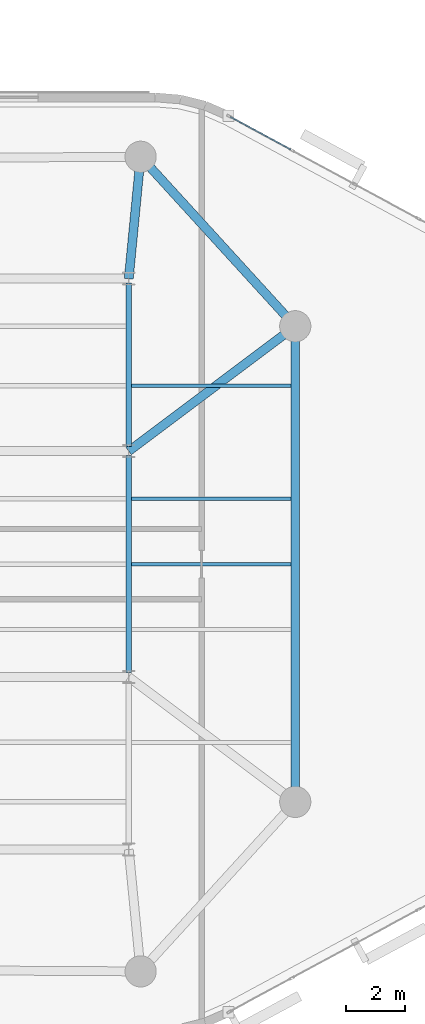
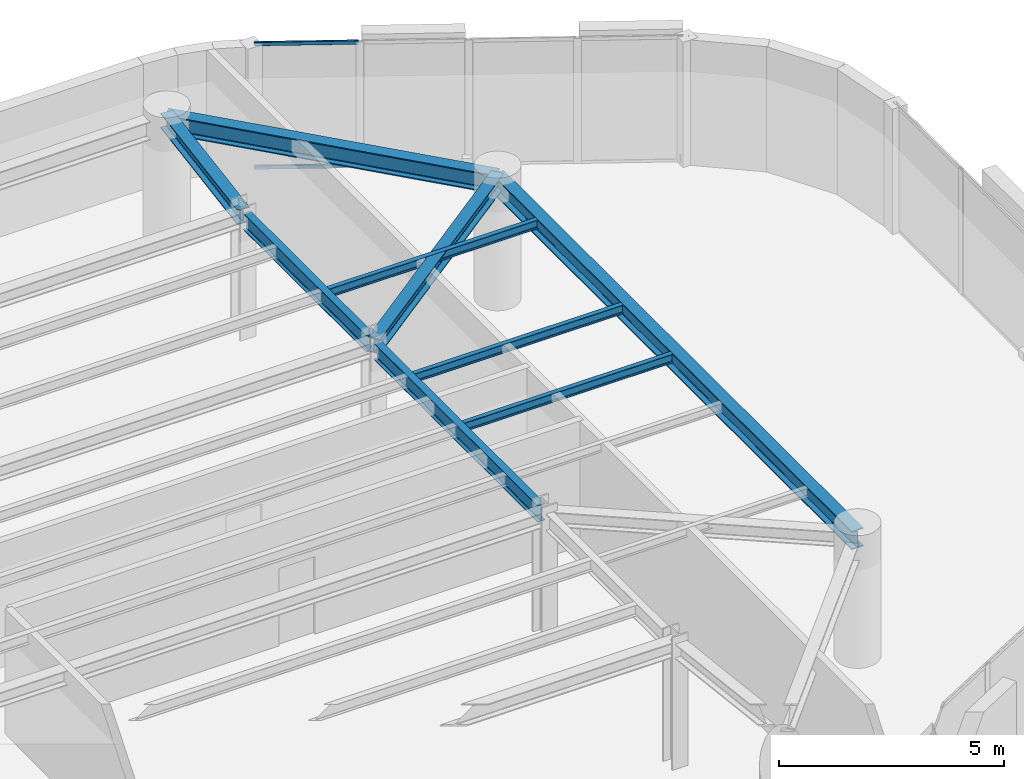
# One storey, part 5 of 13: 9 beams, 2 members, 1 element without a shape of its own.
"""IFC4 building model written with IfcOpenShell, lengths in metres."""

from ifc_helpers import new_model, si_unit, direction, frame, origin, origin_2d, place, context, subcontext, project, spatial, hollow_rectangle, i_section, extrude, material, layer, layer_set, material_profile, profile_set, type_object, element, aggregate, save


model = new_model("IFC4")

# Units and contexts
model_context = context("Model", 3, precision=1e-05, world=origin(), true_north=direction((0.0, 1.0)))
body_context = subcontext(model_context, "Body", "Model", "MODEL_VIEW")
ifc_project = project(units=[si_unit("LENGTHUNIT", "METRE"), si_unit("AREAUNIT", "SQUARE_METRE"), si_unit("VOLUMEUNIT", "CUBIC_METRE"), si_unit("PLANEANGLEUNIT", "RADIAN"), si_unit("MASSUNIT", "GRAM", prefix="KILO")], contexts=[model_context])

# Site, building, storey
site_placement = place(None, origin())
site = spatial("IfcSite", under=ifc_project, at=site_placement, CompositionType="ELEMENT")
building_placement = place(site_placement, origin())
building = spatial("IfcBuilding", under=site, at=building_placement, Name="An Khanh Terracotta Commons", CompositionType="ELEMENT")
storey_placement = place(building_placement, frame((0.0, 0.0, 237.300048828125)))
storey = spatial("IfcBuildingStorey", under=building, at=storey_placement, Name="L62", CompositionType="ELEMENT", Elevation=237.300048828125)

# Beams
ifc_material_1 = material(Name="Steel S355J2", Category="steel")
ifc_material_profile_1 = material_profile(ifc_material_1, i_section(OverallWidth=0.300048828125, OverallDepth=0.39990234375, WebThickness=0.013427734375, FlangeThickness=0.02392578125, FilletRadius=0.027099609375, at=origin_2d()), Name="HEB400")
ifc_profile_set_1 = profile_set([ifc_material_profile_1], Name="Steel S355J2")
beam_type_1 = type_object("IfcBeamType", Name="BM-HEB400", PredefinedType="BEAM", material=ifc_profile_set_1)
beam_1_placement = place(storey_placement, frame((59.60009765625, 32.0, 3.199951171875), z_axis=(-0.800008370399, -0.599988839305, 0.0), x_axis=(0.599988839305, -0.800008370399, 0.0)))
element("IfcBeam", 1, at=beam_1_placement, inside=storey, type_object=beam_type_1, Name="L62 Mega-Column Tie Girder 4", PredefinedType="BEAM", context=body_context, shape_type="SweptSolid", body=[
    extrude(i_section(OverallWidth=0.300048828125, OverallDepth=0.39990234375, WebThickness=0.013427734375, FlangeThickness=0.02392578125, FilletRadius=0.027099609375, at=origin_2d()), origin(), (0.0, 0.0, 1.0), 7.0),
])
beam_2_placement = place(storey_placement, frame((54.39990234375, 37.699951171875, 3.199951171875), z_axis=(-0.097079917443, -0.995276589511, 0.0), x_axis=(0.995276589511, -0.097079917443, 0.0)))
element("IfcBeam", 2, at=beam_2_placement, inside=storey, type_object=beam_type_1, Name="L62 Mega-Column Tie Girder 5", PredefinedType="BEAM", context=body_context, shape_type="SweptSolid", body=[
    extrude(i_section(OverallWidth=0.300048828125, OverallDepth=0.39990234375, WebThickness=0.013427734375, FlangeThickness=0.02392578125, FilletRadius=0.027099609375, at=origin_2d()), origin(), (0.0, 0.0, 1.0), 4.119384765625),
])
ifc_material_profile_2 = material_profile(ifc_material_1, i_section(OverallWidth=0.300048828125, OverallDepth=0.5, WebThickness=0.014404296875, FlangeThickness=0.028076171875, FilletRadius=0.027099609375, at=origin_2d()), Name="HEB500")
ifc_profile_set_2 = profile_set([ifc_material_profile_2], Name="Steel S355J2")
beam_type_2 = type_object("IfcBeamType", Name="BM-HEB500", PredefinedType="BEAM", material=ifc_profile_set_2)
beam_3_placement = place(storey_placement, frame((59.60009765625, 16.0, 3.14990234375), z_axis=(0.0, 1.0, 0.0), x_axis=(-1.0, 0.0, 0.0)))
element("IfcBeam", 3, at=beam_3_placement, inside=storey, type_object=beam_type_2, Name="L62 Perimeter Ring Spandrel 3", PredefinedType="BEAM", context=body_context, shape_type="SweptSolid", body=[
    extrude(i_section(OverallWidth=0.300048828125, OverallDepth=0.5, WebThickness=0.014404296875, FlangeThickness=0.028076171875, FilletRadius=0.027099609375, at=origin_2d()), origin(), (0.0, 0.0, 1.0), 16.0),
])
beam_4_placement = place(storey_placement, frame((59.60009765625, 32.0, 3.14990234375), z_axis=(-0.673978953902, 0.738750546326, 0.0), x_axis=(-0.738750546326, -0.673978953902, 0.0)))
element("IfcBeam", 4, at=beam_4_placement, inside=storey, type_object=beam_type_2, Name="L62 Perimeter Ring Spandrel 4", PredefinedType="BEAM", context=body_context, shape_type="SweptSolid", body=[
    extrude(i_section(OverallWidth=0.300048828125, OverallDepth=0.5, WebThickness=0.014404296875, FlangeThickness=0.028076171875, FilletRadius=0.027099609375, at=origin_2d()), origin(), (0.0, 0.0, 1.0), 7.715576171875),
])
ifc_material_profile_3 = material_profile(ifc_material_1, i_section(OverallWidth=0.1201171875, OverallDepth=0.239990234375, WebThickness=0.006103515625, FlangeThickness=0.009765625, FilletRadius=0.014892578125, at=origin_2d()), Name="IPE240")
ifc_profile_set_3 = profile_set([ifc_material_profile_3], Name="Steel S355J2")
beam_type_3 = type_object("IfcBeamType", Name="BM-IPE240", PredefinedType="JOIST", material=ifc_profile_set_3)
for number, where, z_axis, x_axis, name in (
    (5, (54.094970703125, 24.0, 3.280029296875), (1.0, 0.0, 0.0), (0.0, 1.0, 0.0), "L62 Riverfront Composite Joist 4"),
    (6, (54.094970703125, 26.199951171875, 3.280029296875), (1.0, 0.0, 0.0), (0.0, 1.0, 0.0), "L62 Riverfront Composite Joist 5"),
    (7, (54.094970703125, 30.0, 3.280029296875), (1.0, 0.0, 0.0), (0.0, 1.0, 0.0), "L62 Riverfront Composite Joist 6"),
):
    element("IfcBeam", number, at=place(storey_placement, frame(where, z_axis=z_axis, x_axis=x_axis)), inside=storey, type_object=beam_type_3, Name=name, PredefinedType="JOIST", context=body_context, shape_type="SweptSolid", body=[
        extrude(i_section(OverallWidth=0.1201171875, OverallDepth=0.239990234375, WebThickness=0.006103515625, FlangeThickness=0.009765625, FilletRadius=0.014892578125, at=origin_2d()), origin(), (0.0, 0.0, 1.0), 5.35498046875),
    ])
ifc_material_profile_4 = material_profile(ifc_material_1, i_section(OverallWidth=0.18994140625, OverallDepth=0.449951171875, WebThickness=0.009521484375, FlangeThickness=0.0146484375, FilletRadius=0.02099609375, at=origin_2d()), Name="IPE450")
ifc_profile_set_4 = profile_set([ifc_material_profile_4], Name="Steel S355J2")
beam_type_4 = type_object("IfcBeamType", Name="BM-IPE450", PredefinedType="JOIST", material=ifc_profile_set_4)
beam_5_placement = place(storey_placement, frame((54.0, 20.35009765625, 3.175048828125), z_axis=(0.0, 1.0, 0.0), x_axis=(-1.0, 0.0, 0.0)))
element("IfcBeam", 8, at=beam_5_placement, inside=storey, type_object=beam_type_4, Name="L62 East Spine Girder 2", PredefinedType="JOIST", context=body_context, shape_type="SweptSolid", body=[
    extrude(i_section(OverallWidth=0.18994140625, OverallDepth=0.449951171875, WebThickness=0.009521484375, FlangeThickness=0.0146484375, FilletRadius=0.02099609375, at=origin_2d()), origin(), (0.0, 0.0, 1.0), 7.2998046875),
])
beam_6_placement = place(storey_placement, frame((54.0, 27.949951171875, 3.175048828125), z_axis=(0.0, 1.0, 0.0), x_axis=(-1.0, 0.0, 0.0)))
element("IfcBeam", 9, at=beam_6_placement, inside=storey, type_object=beam_type_4, Name="L62 East Spine Girder 3", PredefinedType="JOIST", context=body_context, shape_type="SweptSolid", body=[
    extrude(i_section(OverallWidth=0.18994140625, OverallDepth=0.449951171875, WebThickness=0.009521484375, FlangeThickness=0.0146484375, FilletRadius=0.02099609375, at=origin_2d()), origin(), (0.0, 0.0, 1.0), 5.5),
])

# Curtain wall, members
ifc_material_2 = material(Name="Anodised Aluminium 6063-T6", Category="aluminium")
ifc_layer = layer(ifc_material_2, 0.2099609375, Name="Anodised Aluminium 6063-T6")
ifc_layer_set = layer_set([ifc_layer], Name="Anodised Aluminium 6063-T6")
curtain_wall_type = type_object("IfcCurtainWallType", Name="CW-SYS-03", PredefinedType="USERDEFINED", material=ifc_layer_set)
curtain_wall_placement = place(storey_placement, origin())
curtain_wall = element("IfcCurtainWall", 10, at=curtain_wall_placement, inside=storey, type_object=curtain_wall_type, Name="L62 CW-03 Unitised Curtain Wall CW-L62-16", ObjectType="UNITISED CURTAIN WALL", PredefinedType="USERDEFINED")
ifc_material_profile_5 = material_profile(ifc_material_2, hollow_rectangle(XDim=0.050048828125, YDim=0.10009765625, WallThickness=0.003173828125, InnerFilletRadius=0.003173828125, OuterFilletRadius=0.00634765625, at=origin_2d()), Name="RHS100x50x3.2")
ifc_profile_set_5 = profile_set([ifc_material_profile_5], Name="Anodised Aluminium 6063-T6")
member_type = type_object("IfcMemberType", Name="CWT-RHS100x50x3.2", PredefinedType="USERDEFINED", material=ifc_profile_set_5)
member_1_placement = place(storey_placement, frame((59.455078125, 37.94140625, 0.02490234375), z_axis=(-0.879779245677, 0.475382455373, 0.0), x_axis=(-0.475382455373, -0.879779245677, 0.0)))
member_1 = element("IfcMember", 11, at=member_1_placement, type_object=member_type, Name="CW-03 transom 4.1", ObjectType="TRANSOM", PredefinedType="USERDEFINED", context=body_context, shape_type="SweptSolid", body=[
    extrude(hollow_rectangle(XDim=0.050048828125, YDim=0.10009765625, WallThickness=0.003173828125, InnerFilletRadius=0.003173828125, OuterFilletRadius=0.00634765625, at=origin_2d()), origin(), (0.0, 0.0, 1.0), 2.314697265625),
])
member_2_placement = place(storey_placement, frame((59.455078125, 37.94140625, 3.375), z_axis=(-0.879779245677, 0.475382455373, 0.0), x_axis=(-0.475382455373, -0.879779245677, 0.0)))
member_2 = element("IfcMember", 12, at=member_2_placement, type_object=member_type, Name="CW-03 transom 4.2", ObjectType="TRANSOM", PredefinedType="USERDEFINED", context=body_context, shape_type="SweptSolid", body=[
    extrude(hollow_rectangle(XDim=0.050048828125, YDim=0.10009765625, WallThickness=0.003173828125, InnerFilletRadius=0.003173828125, OuterFilletRadius=0.00634765625, at=origin_2d()), origin(), (0.0, 0.0, 1.0), 2.314697265625),
])
aggregate(curtain_wall, [member_1, member_2])

save(model, "model.ifc")
